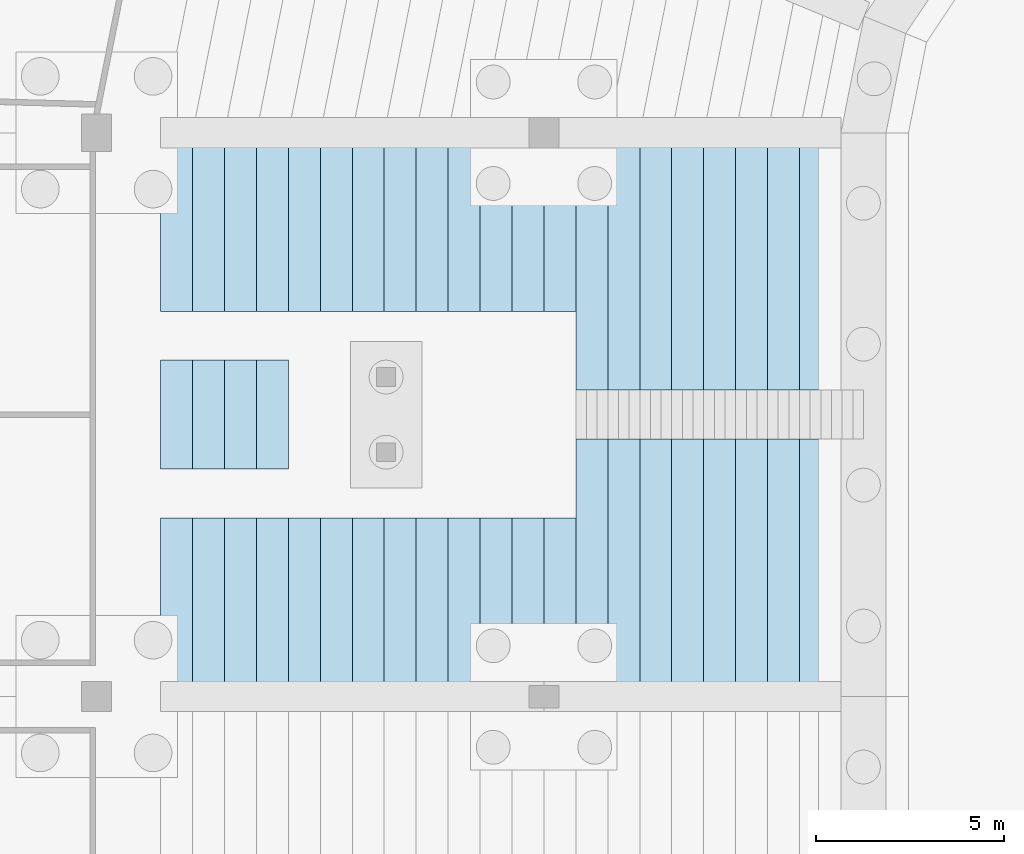
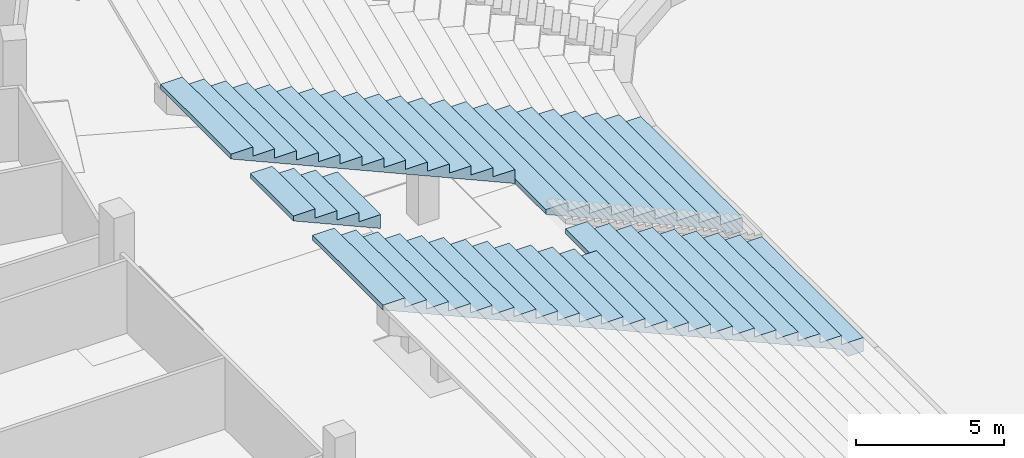
# One storey, part 53 of 115: 1 slab.
"""IFC4 building model written with IfcOpenShell, lengths in metres."""

from ifc_helpers import new_model, si_unit, direction, frame, origin, place, context, subcontext, project, spatial, faceted_brep, material, layer, layer_set, type_object, element, save


model = new_model("IFC4")

# Units and contexts
model_context = context("Model", 3, precision=1e-05, world=origin(), true_north=direction((0.0, 1.0)))
body_context = subcontext(model_context, "Body", "Model", "MODEL_VIEW")
ifc_project = project(units=[si_unit("LENGTHUNIT", "METRE"), si_unit("AREAUNIT", "SQUARE_METRE"), si_unit("VOLUMEUNIT", "CUBIC_METRE"), si_unit("PLANEANGLEUNIT", "RADIAN"), si_unit("MASSUNIT", "GRAM", prefix="KILO")], contexts=[model_context])

# Site, building, storey
site_placement = place(None, origin())
site = spatial("IfcSite", under=ifc_project, at=site_placement, CompositionType="ELEMENT")
building_placement = place(site_placement, origin())
building = spatial("IfcBuilding", under=site, at=building_placement, Name="Ogive Plaza Stadium", CompositionType="ELEMENT")
storey_placement = place(building_placement, frame((0.0, 0.0, -4.5)))
storey = spatial("IfcBuildingStorey", under=building, at=storey_placement, Name="B1", CompositionType="ELEMENT", Elevation=-4.5)

# Slab
ifc_material = material(Name="Concrete C45/55 precast", Category="concrete")
ifc_layer = layer(ifc_material, 0.574951171875)
ifc_layer_set = layer_set([ifc_layer], Name="Concrete C45/55 precast")
slab_type = type_object("IfcSlabType", Name="Seating tier LT 575", PredefinedType="USERDEFINED", material=ifc_layer_set)
slab_placement = place(storey_placement, origin())
element("IfcSlab", 1, at=slab_placement, inside=storey, type_object=slab_type, Name="Stand LT B27", ObjectType="SEATING TIER", PredefinedType="USERDEFINED", context=body_context, shape_type="Brep", body=[
    faceted_brep([(-41.5, 44.35009765625, 1.125), (-42.10009765625, 44.35009765625, 1.125), (-42.10009765625, 37.5, 1.125), (-41.5, 37.5, 1.125), (-41.5, 52.5, 1.125), (-42.10009765625, 52.5, 1.125), (-42.10009765625, 45.64990234375, 1.125), (-41.5, 45.64990234375, 1.125), (-42.35009765625, 44.35009765625, 1.125), (-42.35009765625, 37.5, 1.125), (-42.35009765625, 52.5, 1.125), (-42.35009765625, 45.64990234375, 1.125), (-42.10009765625, 44.35009765625, 0.550048828125), (-41.5, 37.5, 0.550048828125), (-42.10009765625, 37.5, 0.550048828125), (-41.5, 44.35009765625, 0.550048828125), (-42.10009765625, 52.5, 0.550048828125), (-41.5, 45.64990234375, 0.550048828125), (-42.10009765625, 45.64990234375, 0.550048828125), (-41.5, 52.5, 0.550048828125), (-42.35009765625, 37.5, 0.925048828125), (-42.35009765625, 37.5, 1.5), (-43.199951171875, 37.5, 1.5), (-43.199951171875, 37.5, 1.300048828125), (-43.199951171875, 37.5, 1.875), (-44.050048828125, 37.5, 1.875), (-44.050048828125, 37.5, 1.675048828125), (-44.050048828125, 37.5, 2.25), (-44.89990234375, 37.5, 2.25), (-44.89990234375, 37.5, 2.050048828125), (-44.89990234375, 37.5, 2.625), (-45.75, 37.5, 2.625), (-45.75, 37.5, 2.425048828125), (-45.75, 37.5, 3.0), (-46.60009765625, 37.5, 3.0), (-46.60009765625, 37.5, 2.800048828125), (-46.60009765625, 37.5, 3.375), (-47.449951171875, 37.5, 3.375), (-47.449951171875, 37.5, 3.175048828125), (-47.449951171875, 37.5, 3.75), (-48.300048828125, 37.5, 3.75), (-48.300048828125, 37.5, 3.550048828125), (-48.300048828125, 37.5, 4.125), (-49.14990234375, 37.5, 4.125), (-49.14990234375, 37.5, 3.925048828125), (-49.14990234375, 37.5, 4.5), (-50.0, 37.5, 4.5), (-50.0, 37.5, 4.300048828125), (-50.0, 37.5, 4.875), (-50.85009765625, 37.5, 4.875), (-50.85009765625, 37.5, 4.675048828125), (-50.85009765625, 37.5, 5.25), (-51.699951171875, 37.5, 5.25), (-51.699951171875, 37.5, 5.050048828125), (-51.699951171875, 37.5, 5.625), (-52.550048828125, 37.5, 5.625), (-52.550048828125, 37.5, 5.425048828125), (-52.550048828125, 37.5, 6.0), (-53.39990234375, 37.5, 6.0), (-53.39990234375, 37.5, 5.800048828125), (-53.39990234375, 37.5, 6.375), (-54.25, 37.5, 6.375), (-54.25, 37.5, 6.175048828125), (-54.25, 37.5, 6.75), (-55.10009765625, 37.5, 6.75), (-55.10009765625, 37.5, 6.550048828125), (-55.10009765625, 37.5, 7.125), (-55.949951171875, 37.5, 7.125), (-55.949951171875, 37.5, 6.925048828125), (-55.949951171875, 37.5, 7.5), (-56.800048828125, 37.5, 7.5), (-56.800048828125, 37.5, 7.300048828125), (-56.800048828125, 37.5, 7.875), (-57.64990234375, 37.5, 7.875), (-57.64990234375, 37.5, 7.675048828125), (-57.64990234375, 37.5, 8.25), (-58.5, 37.5, 8.25), (-58.5, 37.5, 8.050048828125), (-58.5, 37.5, 8.625), (-59.35009765625, 37.5, 8.625), (-59.35009765625, 37.5, 8.425048828125), (-59.35009765625, 37.5, 9.0), (-60.199951171875, 37.5, 9.0), (-60.199951171875, 37.5, 8.800048828125), (-42.35009765625, 44.35009765625, 0.925048828125), (-43.199951171875, 44.35009765625, 1.5), (-42.35009765625, 44.35009765625, 1.5), (-43.199951171875, 44.35009765625, 1.300048828125), (-44.050048828125, 44.35009765625, 1.875), (-43.199951171875, 44.35009765625, 1.875), (-44.050048828125, 44.35009765625, 1.675048828125), (-44.89990234375, 44.35009765625, 2.25), (-44.050048828125, 44.35009765625, 2.25), (-44.89990234375, 44.35009765625, 2.050048828125), (-45.75, 44.35009765625, 2.625), (-44.89990234375, 44.35009765625, 2.625), (-45.75, 44.35009765625, 2.425048828125), (-46.60009765625, 44.35009765625, 3.0), (-45.75, 44.35009765625, 3.0), (-46.60009765625, 44.35009765625, 2.800048828125), (-47.449951171875, 44.35009765625, 3.375), (-46.60009765625, 44.35009765625, 3.375), (-47.449951171875, 44.35009765625, 3.175048828125), (-48.300048828125, 44.35009765625, 3.75), (-47.449951171875, 44.35009765625, 3.75), (-48.300048828125, 44.35009765625, 3.550048828125), (-49.14990234375, 44.35009765625, 4.125), (-48.300048828125, 44.35009765625, 4.125), (-49.14990234375, 44.35009765625, 3.925048828125), (-42.35009765625, 45.64990234375, 0.925048828125), (-42.35009765625, 45.64990234375, 1.5), (-43.199951171875, 45.64990234375, 1.5), (-43.199951171875, 45.64990234375, 1.300048828125), (-43.199951171875, 45.64990234375, 1.875), (-44.050048828125, 45.64990234375, 1.875), (-44.050048828125, 45.64990234375, 1.675048828125), (-44.050048828125, 45.64990234375, 2.25), (-44.89990234375, 45.64990234375, 2.25), (-44.89990234375, 45.64990234375, 2.050048828125), (-44.89990234375, 45.64990234375, 2.625), (-45.75, 45.64990234375, 2.625), (-45.75, 45.64990234375, 2.425048828125), (-45.75, 45.64990234375, 3.0), (-46.60009765625, 45.64990234375, 3.0), (-46.60009765625, 45.64990234375, 2.800048828125), (-46.60009765625, 45.64990234375, 3.375), (-47.449951171875, 45.64990234375, 3.375), (-47.449951171875, 45.64990234375, 3.175048828125), (-47.449951171875, 45.64990234375, 3.75), (-48.300048828125, 45.64990234375, 3.75), (-48.300048828125, 45.64990234375, 3.550048828125), (-48.300048828125, 45.64990234375, 4.125), (-49.14990234375, 45.64990234375, 4.125), (-49.14990234375, 45.64990234375, 3.925048828125), (-42.35009765625, 52.5, 0.925048828125), (-43.199951171875, 52.5, 1.5), (-42.35009765625, 52.5, 1.5), (-43.199951171875, 52.5, 1.300048828125), (-44.050048828125, 52.5, 1.875), (-43.199951171875, 52.5, 1.875), (-44.050048828125, 52.5, 1.675048828125), (-44.89990234375, 52.5, 2.25), (-44.050048828125, 52.5, 2.25), (-44.89990234375, 52.5, 2.050048828125), (-45.75, 52.5, 2.625), (-44.89990234375, 52.5, 2.625), (-45.75, 52.5, 2.425048828125), (-46.60009765625, 52.5, 3.0), (-45.75, 52.5, 3.0), (-46.60009765625, 52.5, 2.800048828125), (-47.449951171875, 52.5, 3.375), (-46.60009765625, 52.5, 3.375), (-47.449951171875, 52.5, 3.175048828125), (-48.300048828125, 52.5, 3.75), (-47.449951171875, 52.5, 3.75), (-48.300048828125, 52.5, 3.550048828125), (-49.14990234375, 52.5, 4.125), (-48.300048828125, 52.5, 4.125), (-49.14990234375, 52.5, 3.925048828125), (-50.0, 52.5, 4.5), (-49.14990234375, 52.5, 4.5), (-50.0, 52.5, 4.300048828125), (-50.85009765625, 52.5, 4.875), (-50.0, 52.5, 4.875), (-50.85009765625, 52.5, 4.675048828125), (-51.699951171875, 52.5, 5.25), (-50.85009765625, 52.5, 5.25), (-51.699951171875, 52.5, 5.050048828125), (-52.550048828125, 52.5, 5.625), (-51.699951171875, 52.5, 5.625), (-52.550048828125, 52.5, 5.425048828125), (-53.39990234375, 52.5, 6.0), (-52.550048828125, 52.5, 6.0), (-53.39990234375, 52.5, 5.800048828125), (-54.25, 52.5, 6.375), (-53.39990234375, 52.5, 6.375), (-54.25, 52.5, 6.175048828125), (-55.10009765625, 52.5, 6.75), (-54.25, 52.5, 6.75), (-55.10009765625, 52.5, 6.550048828125), (-55.949951171875, 52.5, 7.125), (-55.10009765625, 52.5, 7.125), (-55.949951171875, 52.5, 6.925048828125), (-56.800048828125, 52.5, 7.5), (-55.949951171875, 52.5, 7.5), (-56.800048828125, 52.5, 7.300048828125), (-57.64990234375, 52.5, 7.875), (-56.800048828125, 52.5, 7.875), (-57.64990234375, 52.5, 7.675048828125), (-58.5, 52.5, 8.25), (-57.64990234375, 52.5, 8.25), (-58.5, 52.5, 8.050048828125), (-59.35009765625, 52.5, 8.625), (-58.5, 52.5, 8.625), (-59.35009765625, 52.5, 8.425048828125), (-60.199951171875, 52.5, 9.0), (-59.35009765625, 52.5, 9.0), (-60.199951171875, 52.5, 8.800048828125), (-49.14990234375, 42.25, 3.925048828125), (-49.14990234375, 47.75, 3.925048828125), (-50.0, 42.25, 4.300048828125), (-50.0, 47.75, 4.300048828125), (-50.85009765625, 42.25, 4.675048828125), (-50.85009765625, 47.75, 4.675048828125), (-51.699951171875, 42.25, 5.050048828125), (-51.699951171875, 47.75, 5.050048828125), (-52.550048828125, 42.25, 5.425048828125), (-52.550048828125, 47.75, 5.425048828125), (-53.39990234375, 42.25, 5.800048828125), (-53.39990234375, 47.75, 5.800048828125), (-54.25, 42.25, 6.175048828125), (-54.25, 47.75, 6.175048828125), (-55.10009765625, 42.25, 6.550048828125), (-55.10009765625, 47.75, 6.550048828125), (-55.949951171875, 42.25, 6.925048828125), (-55.949951171875, 47.75, 6.925048828125), (-56.800048828125, 42.25, 7.300048828125), (-56.800048828125, 47.75, 7.300048828125), (-57.64990234375, 42.25, 7.675048828125), (-57.64990234375, 46.449951171875, 7.675048828125), (-56.800048828125, 43.550048828125, 7.300048828125), (-57.64990234375, 43.550048828125, 7.675048828125), (-56.800048828125, 46.449951171875, 7.300048828125), (-57.64990234375, 47.75, 7.675048828125), (-49.14990234375, 42.25, 4.125), (-49.14990234375, 47.75, 4.125), (-49.14990234375, 42.25, 4.5), (-49.14990234375, 47.75, 4.5), (-50.0, 42.25, 4.5), (-50.0, 47.75, 4.5), (-50.0, 42.25, 4.875), (-50.0, 47.75, 4.875), (-50.85009765625, 42.25, 4.875), (-51.699951171875, 42.25, 5.25), (-50.85009765625, 42.25, 5.25), (-52.550048828125, 42.25, 5.625), (-51.699951171875, 42.25, 5.625), (-53.39990234375, 42.25, 6.0), (-52.550048828125, 42.25, 6.0), (-54.25, 42.25, 6.375), (-53.39990234375, 42.25, 6.375), (-55.10009765625, 42.25, 6.75), (-54.25, 42.25, 6.75), (-55.949951171875, 42.25, 7.125), (-55.10009765625, 42.25, 7.125), (-56.800048828125, 42.25, 7.5), (-55.949951171875, 42.25, 7.5), (-57.64990234375, 42.25, 7.875), (-56.800048828125, 42.25, 7.875), (-58.5, 42.25, 8.25), (-57.64990234375, 42.25, 8.25), (-58.5, 42.25, 8.050048828125), (-59.35009765625, 42.25, 8.625), (-58.5, 42.25, 8.625), (-59.35009765625, 42.25, 8.425048828125), (-60.199951171875, 42.25, 9.0), (-59.35009765625, 42.25, 9.0), (-60.199951171875, 42.25, 8.800048828125), (-50.85009765625, 47.75, 4.875), (-50.85009765625, 47.75, 5.25), (-51.699951171875, 47.75, 5.25), (-51.699951171875, 47.75, 5.625), (-52.550048828125, 47.75, 5.625), (-52.550048828125, 47.75, 6.0), (-53.39990234375, 47.75, 6.0), (-53.39990234375, 47.75, 6.375), (-54.25, 47.75, 6.375), (-54.25, 47.75, 6.75), (-55.10009765625, 47.75, 6.75), (-55.10009765625, 47.75, 7.125), (-55.949951171875, 47.75, 7.125), (-55.949951171875, 47.75, 7.5), (-56.800048828125, 47.75, 7.5), (-56.800048828125, 47.75, 7.875), (-57.64990234375, 47.75, 7.875), (-57.64990234375, 47.75, 8.25), (-58.5, 47.75, 8.25), (-58.5, 47.75, 8.050048828125), (-58.5, 47.75, 8.625), (-59.35009765625, 47.75, 8.625), (-59.35009765625, 47.75, 8.425048828125), (-59.35009765625, 47.75, 9.0), (-60.199951171875, 47.75, 9.0), (-60.199951171875, 47.75, 8.800048828125), (-56.800048828125, 43.550048828125, 7.875), (-56.800048828125, 46.449951171875, 7.875), (-57.64990234375, 46.449951171875, 7.875), (-57.64990234375, 43.550048828125, 7.875), (-57.64990234375, 43.550048828125, 8.25), (-57.64990234375, 46.449951171875, 8.25), (-58.5, 43.550048828125, 8.25), (-58.5, 43.550048828125, 8.050048828125), (-58.5, 43.550048828125, 8.625), (-59.35009765625, 43.550048828125, 8.625), (-59.35009765625, 43.550048828125, 8.425048828125), (-59.35009765625, 43.550048828125, 9.0), (-60.199951171875, 43.550048828125, 9.0), (-60.199951171875, 43.550048828125, 8.800048828125), (-58.5, 46.449951171875, 8.25), (-58.5, 46.449951171875, 8.050048828125), (-59.35009765625, 46.449951171875, 8.625), (-58.5, 46.449951171875, 8.625), (-59.35009765625, 46.449951171875, 8.425048828125), (-60.199951171875, 46.449951171875, 9.0), (-59.35009765625, 46.449951171875, 9.0), (-60.199951171875, 46.449951171875, 8.800048828125)], [[[0, 1, 2]], [[2, 3, 0]], [[4, 5, 6]], [[6, 7, 4]], [[1, 8, 9]], [[9, 2, 1]], [[5, 10, 11]], [[11, 6, 5]], [[12, 13, 14]], [[12, 15, 13]], [[16, 17, 18]], [[16, 19, 17]], [[2, 14, 13]], [[13, 3, 2]], [[20, 14, 2]], [[20, 2, 9]], [[9, 21, 22]], [[22, 23, 20]], [[20, 9, 22]], [[22, 24, 25]], [[25, 26, 23]], [[23, 22, 25]], [[25, 27, 28]], [[28, 29, 26]], [[26, 25, 28]], [[28, 30, 31]], [[31, 32, 29]], [[29, 28, 31]], [[31, 33, 34]], [[34, 35, 32]], [[32, 31, 34]], [[34, 36, 37]], [[37, 38, 35]], [[35, 34, 37]], [[37, 39, 40]], [[40, 41, 38]], [[38, 37, 40]], [[40, 42, 43]], [[43, 44, 41]], [[41, 40, 43]], [[43, 45, 46]], [[46, 47, 44]], [[44, 43, 46]], [[46, 48, 49]], [[49, 50, 47]], [[47, 46, 49]], [[49, 51, 52]], [[52, 53, 50]], [[50, 49, 52]], [[52, 54, 55]], [[55, 56, 53]], [[53, 52, 55]], [[55, 57, 58]], [[58, 59, 56]], [[56, 55, 58]], [[58, 60, 61]], [[61, 62, 59]], [[59, 58, 61]], [[61, 63, 64]], [[64, 65, 62]], [[62, 61, 64]], [[64, 66, 67]], [[67, 68, 65]], [[65, 64, 67]], [[67, 69, 70]], [[70, 71, 68]], [[68, 67, 70]], [[70, 72, 73]], [[73, 74, 71]], [[71, 70, 73]], [[73, 75, 76]], [[76, 77, 74]], [[74, 73, 76]], [[76, 78, 79]], [[79, 80, 77]], [[77, 76, 79]], [[79, 81, 82]], [[82, 83, 80]], [[80, 79, 82]], [[3, 13, 15]], [[15, 0, 3]], [[7, 17, 19]], [[19, 4, 7]], [[0, 15, 12]], [[12, 1, 0]], [[1, 12, 84]], [[84, 8, 1]], [[85, 86, 8]], [[8, 84, 87]], [[87, 85, 8]], [[88, 89, 85]], [[85, 87, 90]], [[90, 88, 85]], [[91, 92, 88]], [[88, 90, 93]], [[93, 91, 88]], [[94, 95, 91]], [[91, 93, 96]], [[96, 94, 91]], [[97, 98, 94]], [[94, 96, 99]], [[99, 97, 94]], [[100, 101, 97]], [[97, 99, 102]], [[102, 100, 97]], [[103, 104, 100]], [[100, 102, 105]], [[105, 103, 100]], [[106, 107, 103]], [[103, 105, 108]], [[108, 106, 103]], [[6, 18, 17]], [[17, 7, 6]], [[109, 18, 6]], [[109, 6, 11]], [[11, 110, 111]], [[111, 112, 109]], [[109, 11, 111]], [[111, 113, 114]], [[114, 115, 112]], [[112, 111, 114]], [[114, 116, 117]], [[117, 118, 115]], [[115, 114, 117]], [[117, 119, 120]], [[120, 121, 118]], [[118, 117, 120]], [[120, 122, 123]], [[123, 124, 121]], [[121, 120, 123]], [[123, 125, 126]], [[126, 127, 124]], [[124, 123, 126]], [[126, 128, 129]], [[129, 130, 127]], [[127, 126, 129]], [[129, 131, 132]], [[132, 133, 130]], [[130, 129, 132]], [[4, 19, 16]], [[16, 5, 4]], [[5, 16, 134]], [[134, 10, 5]], [[135, 136, 10]], [[10, 134, 137]], [[137, 135, 10]], [[138, 139, 135]], [[135, 137, 140]], [[140, 138, 135]], [[141, 142, 138]], [[138, 140, 143]], [[143, 141, 138]], [[144, 145, 141]], [[141, 143, 146]], [[146, 144, 141]], [[147, 148, 144]], [[144, 146, 149]], [[149, 147, 144]], [[150, 151, 147]], [[147, 149, 152]], [[152, 150, 147]], [[153, 154, 150]], [[150, 152, 155]], [[155, 153, 150]], [[156, 157, 153]], [[153, 155, 158]], [[158, 156, 153]], [[159, 160, 156]], [[156, 158, 161]], [[161, 159, 156]], [[162, 163, 159]], [[159, 161, 164]], [[164, 162, 159]], [[165, 166, 162]], [[162, 164, 167]], [[167, 165, 162]], [[168, 169, 165]], [[165, 167, 170]], [[170, 168, 165]], [[171, 172, 168]], [[168, 170, 173]], [[173, 171, 168]], [[174, 175, 171]], [[171, 173, 176]], [[176, 174, 171]], [[177, 178, 174]], [[174, 176, 179]], [[179, 177, 174]], [[180, 181, 177]], [[177, 179, 182]], [[182, 180, 177]], [[183, 184, 180]], [[180, 182, 185]], [[185, 183, 180]], [[186, 187, 183]], [[183, 185, 188]], [[188, 186, 183]], [[189, 190, 186]], [[186, 188, 191]], [[191, 189, 186]], [[192, 193, 189]], [[189, 191, 194]], [[194, 192, 189]], [[195, 196, 192]], [[192, 194, 197]], [[197, 195, 192]], [[84, 14, 20]], [[84, 12, 14]], [[134, 18, 109]], [[134, 16, 18]], [[21, 9, 8]], [[8, 86, 21]], [[110, 11, 10]], [[10, 136, 110]], [[86, 85, 22]], [[22, 21, 86]], [[136, 135, 111]], [[111, 110, 136]], [[87, 20, 23]], [[87, 84, 20]], [[137, 109, 112]], [[137, 134, 109]], [[90, 23, 26]], [[90, 87, 23]], [[140, 112, 115]], [[140, 137, 112]], [[93, 26, 29]], [[93, 90, 26]], [[143, 115, 118]], [[143, 140, 115]], [[96, 29, 32]], [[96, 93, 29]], [[146, 118, 121]], [[146, 143, 118]], [[99, 32, 35]], [[99, 96, 32]], [[149, 121, 124]], [[149, 146, 121]], [[102, 35, 38]], [[102, 99, 35]], [[152, 124, 127]], [[152, 149, 124]], [[105, 38, 41]], [[105, 102, 38]], [[155, 127, 130]], [[155, 152, 127]], [[41, 44, 198]], [[108, 41, 198]], [[108, 105, 41]], [[199, 158, 130]], [[130, 133, 199]], [[158, 155, 130]], [[200, 44, 47]], [[200, 198, 44]], [[161, 199, 201]], [[161, 158, 199]], [[202, 47, 50]], [[202, 200, 47]], [[164, 201, 203]], [[164, 161, 201]], [[204, 50, 53]], [[204, 202, 50]], [[167, 203, 205]], [[167, 164, 203]], [[206, 53, 56]], [[206, 204, 53]], [[170, 205, 207]], [[170, 167, 205]], [[208, 56, 59]], [[208, 206, 56]], [[173, 207, 209]], [[173, 170, 207]], [[210, 59, 62]], [[210, 208, 59]], [[176, 209, 211]], [[176, 173, 209]], [[212, 62, 65]], [[212, 210, 62]], [[179, 211, 213]], [[179, 176, 211]], [[214, 65, 68]], [[214, 212, 65]], [[182, 213, 215]], [[182, 179, 213]], [[216, 68, 71]], [[216, 214, 68]], [[185, 215, 217]], [[185, 182, 215]], [[218, 71, 74]], [[218, 216, 71]], [[219, 220, 221]], [[219, 222, 220]], [[188, 217, 223]], [[188, 185, 217]], [[24, 22, 85]], [[85, 89, 24]], [[113, 111, 135]], [[135, 139, 113]], [[89, 88, 25]], [[25, 24, 89]], [[139, 138, 114]], [[114, 113, 139]], [[27, 25, 88]], [[88, 92, 27]], [[116, 114, 138]], [[138, 142, 116]], [[92, 91, 28]], [[28, 27, 92]], [[142, 141, 117]], [[117, 116, 142]], [[30, 28, 91]], [[91, 95, 30]], [[119, 117, 141]], [[141, 145, 119]], [[95, 94, 31]], [[31, 30, 95]], [[145, 144, 120]], [[120, 119, 145]], [[33, 31, 94]], [[94, 98, 33]], [[122, 120, 144]], [[144, 148, 122]], [[98, 97, 34]], [[34, 33, 98]], [[148, 147, 123]], [[123, 122, 148]], [[36, 34, 97]], [[97, 101, 36]], [[125, 123, 147]], [[147, 151, 125]], [[101, 100, 37]], [[37, 36, 101]], [[151, 150, 126]], [[126, 125, 151]], [[39, 37, 100]], [[100, 104, 39]], [[128, 126, 150]], [[150, 154, 128]], [[104, 103, 40]], [[40, 39, 104]], [[154, 153, 129]], [[129, 128, 154]], [[42, 40, 103]], [[103, 107, 42]], [[131, 129, 153]], [[153, 157, 131]], [[43, 42, 107]], [[224, 43, 107]], [[106, 224, 107]], [[132, 131, 157]], [[157, 156, 225]], [[225, 132, 157]], [[108, 198, 224]], [[224, 106, 108]], [[199, 133, 132]], [[132, 225, 199]], [[45, 43, 224]], [[224, 226, 45]], [[227, 225, 156]], [[156, 160, 227]], [[226, 228, 46]], [[46, 45, 226]], [[160, 159, 229]], [[229, 227, 160]], [[48, 46, 228]], [[228, 230, 48]], [[231, 229, 159]], [[159, 163, 231]], [[228, 226, 224]], [[224, 198, 200]], [[200, 228, 224]], [[232, 230, 228]], [[228, 200, 202]], [[202, 232, 228]], [[233, 234, 232]], [[232, 202, 204]], [[204, 233, 232]], [[235, 236, 233]], [[233, 204, 206]], [[206, 235, 233]], [[237, 238, 235]], [[235, 206, 208]], [[208, 237, 235]], [[239, 240, 237]], [[237, 208, 210]], [[210, 239, 237]], [[241, 242, 239]], [[239, 210, 212]], [[212, 241, 239]], [[243, 244, 241]], [[241, 212, 214]], [[214, 243, 241]], [[245, 246, 243]], [[243, 214, 216]], [[216, 245, 243]], [[247, 248, 245]], [[245, 216, 218]], [[218, 247, 245]], [[249, 250, 247]], [[247, 218, 251]], [[251, 249, 247]], [[252, 253, 249]], [[249, 251, 254]], [[254, 252, 249]], [[255, 256, 252]], [[252, 254, 257]], [[257, 255, 252]], [[225, 227, 229]], [[229, 201, 199]], [[199, 225, 229]], [[229, 231, 258]], [[258, 203, 201]], [[201, 229, 258]], [[258, 259, 260]], [[260, 205, 203]], [[203, 258, 260]], [[260, 261, 262]], [[262, 207, 205]], [[205, 260, 262]], [[262, 263, 264]], [[264, 209, 207]], [[207, 262, 264]], [[264, 265, 266]], [[266, 211, 209]], [[209, 264, 266]], [[266, 267, 268]], [[268, 213, 211]], [[211, 266, 268]], [[268, 269, 270]], [[270, 215, 213]], [[213, 268, 270]], [[270, 271, 272]], [[272, 217, 215]], [[215, 270, 272]], [[272, 273, 274]], [[274, 223, 217]], [[217, 272, 274]], [[274, 275, 276]], [[276, 277, 223]], [[223, 274, 276]], [[276, 278, 279]], [[279, 280, 277]], [[277, 276, 279]], [[279, 281, 282]], [[282, 283, 280]], [[280, 279, 282]], [[230, 232, 49]], [[49, 48, 230]], [[163, 162, 258]], [[258, 231, 163]], [[51, 49, 232]], [[232, 234, 51]], [[259, 258, 162]], [[162, 166, 259]], [[234, 233, 52]], [[52, 51, 234]], [[166, 165, 260]], [[260, 259, 166]], [[54, 52, 233]], [[233, 236, 54]], [[261, 260, 165]], [[165, 169, 261]], [[236, 235, 55]], [[55, 54, 236]], [[169, 168, 262]], [[262, 261, 169]], [[57, 55, 235]], [[235, 238, 57]], [[263, 262, 168]], [[168, 172, 263]], [[238, 237, 58]], [[58, 57, 238]], [[172, 171, 264]], [[264, 263, 172]], [[60, 58, 237]], [[237, 240, 60]], [[265, 264, 171]], [[171, 175, 265]], [[240, 239, 61]], [[61, 60, 240]], [[175, 174, 266]], [[266, 265, 175]], [[63, 61, 239]], [[239, 242, 63]], [[267, 266, 174]], [[174, 178, 267]], [[242, 241, 64]], [[64, 63, 242]], [[178, 177, 268]], [[268, 267, 178]], [[66, 64, 241]], [[241, 244, 66]], [[269, 268, 177]], [[177, 181, 269]], [[244, 243, 67]], [[67, 66, 244]], [[181, 180, 270]], [[270, 269, 181]], [[69, 67, 243]], [[243, 246, 69]], [[271, 270, 180]], [[180, 184, 271]], [[246, 245, 70]], [[70, 69, 246]], [[184, 183, 272]], [[272, 271, 184]], [[72, 70, 245]], [[245, 248, 72]], [[284, 220, 222]], [[222, 285, 284]], [[273, 272, 183]], [[183, 187, 273]], [[248, 247, 73]], [[73, 72, 248]], [[285, 286, 287]], [[287, 284, 285]], [[187, 186, 274]], [[274, 273, 187]], [[75, 73, 247]], [[247, 250, 75]], [[288, 287, 286]], [[286, 289, 288]], [[275, 274, 186]], [[186, 190, 275]], [[221, 220, 284]], [[221, 284, 287]], [[287, 288, 290]], [[290, 291, 221]], [[221, 287, 290]], [[290, 292, 293]], [[293, 294, 291]], [[291, 290, 293]], [[293, 295, 296]], [[296, 297, 294]], [[294, 293, 296]], [[285, 222, 219]], [[219, 286, 285]], [[298, 289, 286]], [[286, 219, 299]], [[299, 298, 286]], [[300, 301, 298]], [[298, 299, 302]], [[302, 300, 298]], [[303, 304, 300]], [[300, 302, 305]], [[305, 303, 300]], [[250, 249, 76]], [[76, 75, 250]], [[289, 298, 290]], [[290, 288, 289]], [[190, 189, 276]], [[276, 275, 190]], [[251, 74, 77]], [[251, 218, 74]], [[299, 221, 291]], [[299, 219, 221]], [[191, 223, 277]], [[191, 188, 223]], [[254, 77, 80]], [[254, 251, 77]], [[302, 291, 294]], [[302, 299, 291]], [[194, 277, 280]], [[194, 191, 277]], [[257, 80, 83]], [[257, 254, 80]], [[305, 294, 297]], [[305, 302, 294]], [[197, 280, 283]], [[197, 194, 280]], [[78, 76, 249]], [[249, 253, 78]], [[292, 290, 298]], [[298, 301, 292]], [[278, 276, 189]], [[189, 193, 278]], [[253, 252, 79]], [[79, 78, 253]], [[301, 300, 293]], [[293, 292, 301]], [[193, 192, 279]], [[279, 278, 193]], [[81, 79, 252]], [[252, 256, 81]], [[295, 293, 300]], [[300, 304, 295]], [[281, 279, 192]], [[192, 196, 281]], [[256, 255, 82]], [[82, 81, 256]], [[304, 303, 296]], [[296, 295, 304]], [[196, 195, 282]], [[282, 281, 196]], [[255, 257, 83]], [[83, 82, 255]], [[303, 305, 297]], [[297, 296, 303]], [[195, 197, 283]], [[283, 282, 195]]]),
])

save(model, "model.ifc")
